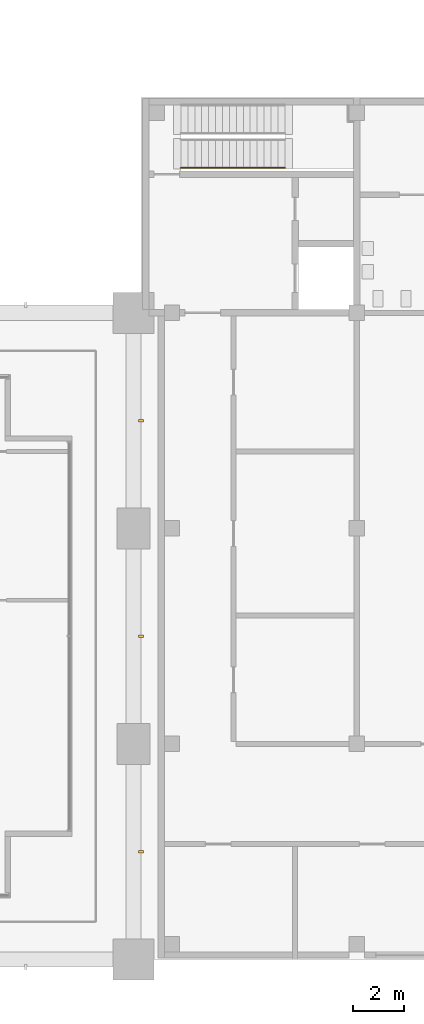
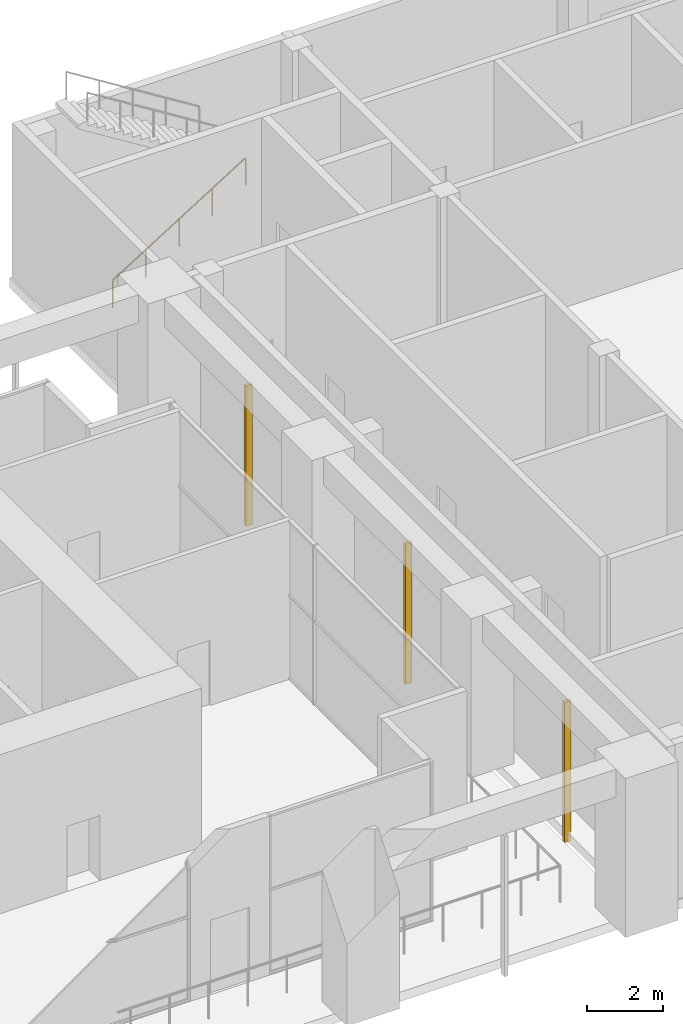
# One storey, part 30 of 32: 3 shading devices, 1 railing.
"""IFC4 building model written with IfcOpenShell, lengths in metres."""

from ifc_helpers import new_model, si_unit, direction, frame, origin, origin_2d, place, context, subcontext, project, spatial, rectangle, circle, extrude, material, material_profile, profile_set, type_object, element, save


model = new_model("IFC4")

# Units and contexts
model_context = context("Model", 3, precision=1e-05, world=origin(), true_north=direction((0.0, 1.0)))
body_context = subcontext(model_context, "Body", "Model", "MODEL_VIEW")
ifc_project = project(units=[si_unit("LENGTHUNIT", "METRE"), si_unit("AREAUNIT", "SQUARE_METRE"), si_unit("VOLUMEUNIT", "CUBIC_METRE"), si_unit("PLANEANGLEUNIT", "RADIAN"), si_unit("MASSUNIT", "GRAM", prefix="KILO")], contexts=[model_context])

# Site, building, storey
site_placement = place(None, origin())
site = spatial("IfcSite", under=ifc_project, at=site_placement, CompositionType="ELEMENT")
building_placement = place(site_placement, origin())
building = spatial("IfcBuilding", under=site, at=building_placement, Name="Vermilion Gate Residences", CompositionType="ELEMENT")
storey_placement = place(building_placement, frame((0.0, 0.0, 19.800048828125)))
storey = spatial("IfcBuildingStorey", under=building, at=storey_placement, Name="L03", CompositionType="ELEMENT", Elevation=19.800048828125)

# Railing
ifc_material_1 = material(Name="Steel", Category="steel")
railing_type = type_object("IfcRailingType", Name="STEEL HANDRAIL 900 (MARKET HALL)", PredefinedType="HANDRAIL", material=ifc_material_1)
railing_placement = place(storey_placement, frame((69.050048828125, 30.85009765625, 0.168701171875)))
element("IfcRailing", 1, at=railing_placement, inside=storey, type_object=railing_type, Name="Stair handrail STH1-03-1a", PredefinedType="HANDRAIL", context=body_context, shape_type="SweptSolid", body=[
    extrude(circle(Radius=0.0224609375, at=origin_2d()), frame((0.0, 0.0, 0.87744140625), z_axis=(0.848001175806, 0.0, 0.529994345094), x_axis=(0.0, 1.0, 0.0)), (0.0, 0.0, 1.0), 4.77587890625),
    extrude(circle(Radius=0.02001953125, at=origin_2d()), origin(), (0.0, 0.0, 1.0), 0.85498046875),
    extrude(circle(Radius=0.02001953125, at=origin_2d()), frame((1.012451171875, 0.0, 0.6328125)), (0.0, 0.0, 1.0), 0.85498046875),
    extrude(circle(Radius=0.02001953125, at=origin_2d()), frame((2.02490234375, 0.0, 1.265625)), (0.0, 0.0, 1.0), 0.85498046875),
    extrude(circle(Radius=0.02001953125, at=origin_2d()), frame((3.03759765625, 0.0, 1.8984375)), (0.0, 0.0, 1.0), 0.85498046875),
    extrude(circle(Radius=0.02001953125, at=origin_2d()), frame((4.050048828125, 0.0, 2.53125)), (0.0, 0.0, 1.0), 0.85498046875),
])

# Shading devices
ifc_material_2 = material(Name="Extruded terracotta", Category="masonry")
ifc_material_profile = material_profile(ifc_material_2, rectangle(XDim=0.199951171875, YDim=0.10009765625, at=origin_2d()), Name="BAGUETTE 100 X 200")
ifc_profile_set = profile_set([ifc_material_profile], Name="Extruded terracotta")
shading_device_type = type_object("IfcShadingDeviceType", Name="TERRACOTTA BAGUETTE 100 X 200", PredefinedType="JALOUSIE", material=ifc_profile_set)
for number, where, z_axis, x_axis, name in (
    (2, (67.5, 4.199951171875, -0.300048828125), (0.0, 0.0, 1.0), (-1.0, 0.0, 0.0), "BAGUETTE"),
    (3, (67.5, 12.60009765625, -0.300048828125), (0.0, 0.0, 1.0), (-1.0, 0.0, 0.0), "BAGUETTE"),
    (4, (67.5, 21.0, -0.300048828125), (0.0, 0.0, 1.0), (-1.0, 0.0, 0.0), "BAGUETTE"),
):
    element("IfcShadingDevice", number, at=place(storey_placement, frame(where, z_axis=z_axis, x_axis=x_axis)), inside=storey, type_object=shading_device_type, Name=name, PredefinedType="JALOUSIE", context=body_context, shape_type="SweptSolid", body=[
        extrude(rectangle(XDim=0.199951171875, YDim=0.10009765625, at=origin_2d()), origin(), (0.0, 0.0, 1.0), 4.52001953125),
    ])

save(model, "model.ifc")
